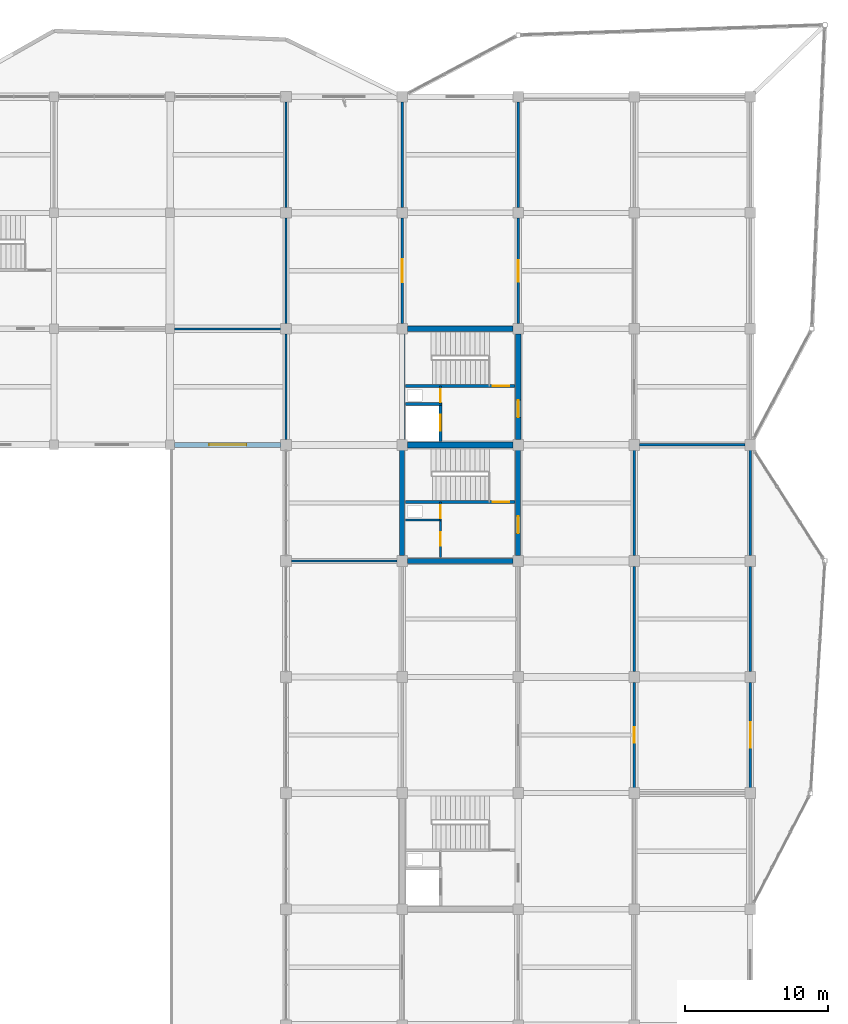
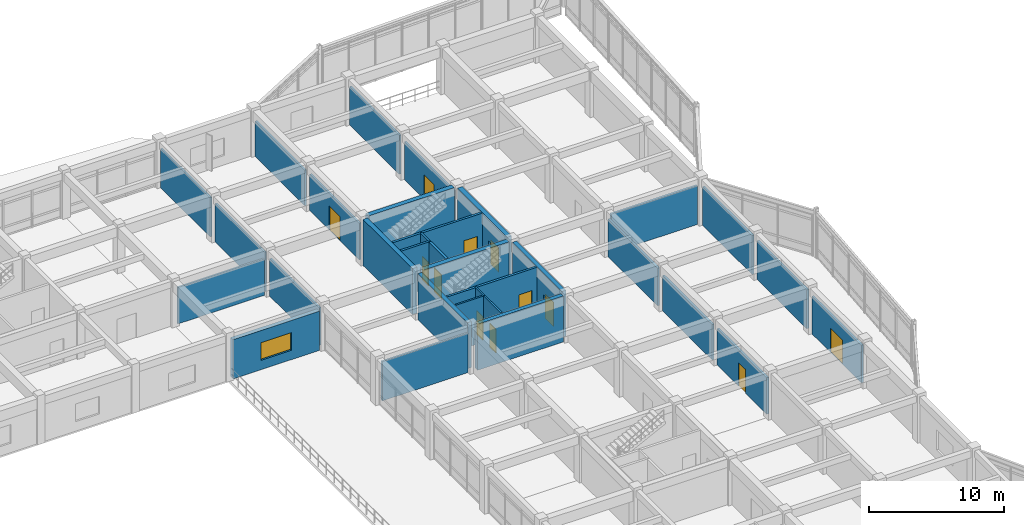
# One storey, part 53 of 70: 32 walls, 12 doors, 1 window, 13 openings.
"""IFC4 building model written with IfcOpenShell, lengths in metres."""

from ifc_helpers import new_model, si_unit, direction, frame, frame_2d, origin, place, context, subcontext, project, spatial, rectangle, extrude, material, layer, layer_set, type_object, element, fill, save


model = new_model("IFC4")

# Units and contexts
model_context = context("Model", 3, precision=1e-05, world=origin(), true_north=direction((0.0, 1.0)))
body_context = subcontext(model_context, "Body", "Model", "MODEL_VIEW")
ifc_project = project(units=[si_unit("LENGTHUNIT", "METRE"), si_unit("AREAUNIT", "SQUARE_METRE"), si_unit("VOLUMEUNIT", "CUBIC_METRE"), si_unit("PLANEANGLEUNIT", "RADIAN"), si_unit("MASSUNIT", "GRAM", prefix="KILO")], contexts=[model_context])

# Site, building, storey
site_placement = place(None, origin())
site = spatial("IfcSite", under=ifc_project, at=site_placement, CompositionType="ELEMENT")
building_placement = place(site_placement, origin())
building = spatial("IfcBuilding", under=site, at=building_placement, Name="Vaudrelin Polytechnic", CompositionType="ELEMENT")
storey_placement = place(building_placement, frame((0.0, 0.0, 14.110107421875)))
storey = spatial("IfcBuildingStorey", under=building, at=storey_placement, Name="L03", CompositionType="ELEMENT", Elevation=14.110107421875)

# Wall, opening, window
ifc_material_1 = material(Name="Precast concrete 35 MPa with standing-seam zinc rainscreen", Category="concrete")
ifc_layer_1 = layer(ifc_material_1, 0.360107421875)
ifc_layer_set_1 = layer_set([ifc_layer_1], Name="Precast concrete 35 MPa with standing-seam zinc rainscreen")
wall_type_1 = type_object("IfcWallType", Name="WAL-EW-ZINC360", PredefinedType="STANDARD", material=ifc_layer_set_1)
wall_1_placement = place(storey_placement, frame((129.923095703125, 97.199951171875, 0.0), z_axis=(0.0, 0.0, 1.0), x_axis=(1.0, 0.0, 0.0)))
wall_1 = element("IfcWall", 1, at=wall_1_placement, inside=storey, type_object=wall_type_1, Name="Exterior wall L03 S_V5_16", PredefinedType="STANDARD", context=body_context, shape_type="SweptSolid", body=[
    extrude(rectangle(XDim=7.40380859375, YDim=0.360107421875, at=frame_2d((3.701904296875, 0.0))), origin(), (0.0, 0.0, 1.0), 3.552001953125),
])
opening_1_placement = place(wall_1_placement, frame((2.402099609375, 0.0, 0.85009765625)))
opening_1 = element("IfcOpeningElement", 2, at=opening_1_placement, cuts=wall_1, Name="Opening W-L03-S-V5-17", PredefinedType="OPENING", context=body_context, shape_type="SweptSolid", body=[
    extrude(rectangle(XDim=2.60009765625, YDim=1.60009765625, at=frame_2d((1.300048828125, 0.800048828125))), frame((0.0, 0.18994140625, 0.0), z_axis=(0.0, -1.0, 0.0), x_axis=(1.0, 0.0, 0.0)), (0.0, 0.0, 1.0), 0.380126953125),
])
ifc_material_2 = material(Name="Thermally broken aluminium frame with triple low-e glazing", Category="aluminium")
window_type = type_object("IfcWindowType", Name="WIN-WN-45", PartitioningType="SINGLE_PANEL", PredefinedType="WINDOW", material=ifc_material_2)
window_placement = place(opening_1_placement, origin())
window = element("IfcWindow", 3, at=window_placement, inside=storey, type_object=window_type, Name="Facade window L03-S_V5_16", OverallHeight=1.60009765625, OverallWidth=2.60009765625, PartitioningType="SINGLE_PANEL", PredefinedType="WINDOW", context=body_context, shape_type="SweptSolid", body=[
    extrude(rectangle(XDim=2.60009765625, YDim=1.60009765625, at=frame_2d((1.300048828125, 0.800048828125))), frame((0.0, 0.030029296875, 0.0), z_axis=(0.0, -1.0, 0.0), x_axis=(1.0, 0.0, 0.0)), (0.0, 0.0, 1.0), 0.06005859375),
])
fill(opening_1, window)

# Wall, opening, door
ifc_material_3 = material(Name="Acoustic double-stud gypsum & mineral-wool partition", Category="gypsum")
ifc_layer_2 = layer(ifc_material_3, 0.179931640625)
ifc_layer_set_2 = layer_set([ifc_layer_2], Name="Acoustic double-stud gypsum & mineral-wool partition")
wall_type_2 = type_object("IfcWallType", Name="WAL-PW-AC180", PredefinedType="PARTITIONING", material=ifc_layer_set_2)
wall_2_placement = place(storey_placement, frame((162.0, 73.27294921875, 0.0), z_axis=(0.0, 0.0, 1.0), x_axis=(0.0, 1.0, 0.0)))
wall_2 = element("IfcWall", 4, at=wall_2_placement, inside=storey, type_object=wall_type_2, Name="Partition L03-017 W", PredefinedType="PARTITIONING", context=body_context, shape_type="SweptSolid", body=[
    extrude(rectangle(XDim=7.35400390625, YDim=0.179931640625, at=frame_2d((3.677001953125, 0.0))), origin(), (0.0, 0.0, 1.0), 3.31201171875),
])
opening_2_placement = place(wall_2_placement, frame((3.136962890625, 0.0, 0.0)))
opening_2 = element("IfcOpeningElement", 5, at=opening_2_placement, cuts=wall_2, Name="Opening D-L03-509", PredefinedType="OPENING", context=body_context, shape_type="SweptSolid", body=[
    extrude(rectangle(XDim=1.080078125, YDim=2.14990234375, at=frame_2d((0.5400390625, 1.074951171875))), frame((0.0, 0.10009765625, 0.0), z_axis=(0.0, -1.0, 0.0), x_axis=(1.0, 0.0, 0.0)), (0.0, 0.0, 1.0), 0.199951171875),
])
ifc_material_4 = material(Name="Solid-core birch veneer acoustic leaf", Category="wood")
door_type_1 = type_object("IfcDoorType", Name="DOR-ID-SEM2", OperationType="NOTDEFINED", PredefinedType="DOOR", material=ifc_material_4)
door_1_placement = place(opening_2_placement, origin())
door_1 = element("IfcDoor", 6, at=door_1_placement, inside=storey, type_object=door_type_1, Name="Seminar Room 302 door L03-017", OperationType="SINGLE_SWING_LEFT", OverallHeight=2.14990234375, OverallWidth=1.080078125, PredefinedType="DOOR", context=body_context, shape_type="SweptSolid", body=[
    extrude(rectangle(XDim=1.080078125, YDim=2.14990234375, at=frame_2d((0.5400390625, 1.074951171875))), frame((0.0, 0.02490234375, 0.0), z_axis=(0.0, -1.0, 0.0), x_axis=(1.0, 0.0, 0.0)), (0.0, 0.0, 1.0), 0.050048828125),
])
fill(opening_2, door_1)

# Walls
wall_3_placement = place(storey_placement, frame((162.0, 81.373046875, 0.0), z_axis=(0.0, 0.0, 1.0), x_axis=(0.0, 1.0, 0.0)))
element("IfcWall", 7, at=wall_3_placement, inside=storey, type_object=wall_type_2, Name="Partition L03-017 W", PredefinedType="PARTITIONING", context=body_context, shape_type="SweptSolid", body=[
    extrude(rectangle(XDim=7.35400390625, YDim=0.179931640625, at=frame_2d((3.677001953125, 0.0))), origin(), (0.0, 0.0, 1.0), 3.2119140625),
])
wall_4_placement = place(storey_placement, frame((162.0, 89.472900390625, 0.0), z_axis=(0.0, 0.0, 1.0), x_axis=(0.0, 1.0, 0.0)))
element("IfcWall", 8, at=wall_4_placement, inside=storey, type_object=wall_type_2, Name="Partition L03-017 W", PredefinedType="PARTITIONING", context=body_context, shape_type="SweptSolid", body=[
    extrude(rectangle(XDim=7.35400390625, YDim=0.179931640625, at=frame_2d((3.677001953125, 0.0))), origin(), (0.0, 0.0, 1.0), 3.411865234375),
])
wall_5_placement = place(storey_placement, frame((162.373046875, 97.199951171875, 0.0), z_axis=(0.0, 0.0, 1.0), x_axis=(1.0, 0.0, 0.0)))
element("IfcWall", 9, at=wall_5_placement, inside=storey, type_object=wall_type_2, Name="Partition L03-017 N", PredefinedType="PARTITIONING", context=body_context, shape_type="SweptSolid", body=[
    extrude(rectangle(XDim=7.35400390625, YDim=0.179931640625, at=frame_2d((3.677001953125, 0.0))), origin(), (0.0, 0.0, 1.0), 3.511962890625),
])

# Wall, opening, door
wall_6_placement = place(storey_placement, frame((170.10009765625, 73.27294921875, 0.0), z_axis=(0.0, 0.0, 1.0), x_axis=(0.0, 1.0, 0.0)))
wall_6 = element("IfcWall", 10, at=wall_6_placement, inside=storey, type_object=wall_type_2, Name="Partition L03-017 E", PredefinedType="PARTITIONING", context=body_context, shape_type="SweptSolid", body=[
    extrude(rectangle(XDim=7.35400390625, YDim=0.179931640625, at=frame_2d((3.677001953125, 0.0))), origin(), (0.0, 0.0, 1.0), 3.411865234375),
])
opening_3_placement = place(wall_6_placement, frame((2.777099609375, 0.0, 0.0)))
opening_3 = element("IfcOpeningElement", 11, at=opening_3_placement, cuts=wall_6, Name="Opening D-L03-604", PredefinedType="OPENING", context=body_context, shape_type="SweptSolid", body=[
    extrude(rectangle(XDim=1.800048828125, YDim=2.199951171875, at=frame_2d((0.89990234375, 1.10009765625))), frame((0.0, 0.10009765625, 0.0), z_axis=(0.0, -1.0, 0.0), x_axis=(1.0, 0.0, 0.0)), (0.0, 0.0, 1.0), 0.199951171875),
])
ifc_material_5 = material(Name="Pressed galvanised steel acoustic leaf", Category="steel")
door_type_2 = type_object("IfcDoorType", Name="DOR-ID-DBL1", OperationType="NOTDEFINED", PredefinedType="DOOR", material=ifc_material_5)
door_2_placement = place(opening_3_placement, origin())
door_2 = element("IfcDoor", 12, at=door_2_placement, inside=storey, type_object=door_type_2, Name="East avionics pod E2 door L03", OperationType="DOUBLE_SWING_LEFT", OverallHeight=2.199951171875, OverallWidth=1.800048828125, PredefinedType="DOOR", context=body_context, shape_type="SweptSolid", body=[
    extrude(rectangle(XDim=1.800048828125, YDim=2.199951171875, at=frame_2d((0.89990234375, 1.10009765625))), frame((0.0, 0.02490234375, 0.0), z_axis=(0.0, -1.0, 0.0), x_axis=(1.0, 0.0, 0.0)), (0.0, 0.0, 1.0), 0.050048828125),
])
fill(opening_3, door_2)

# Walls
for number, where, z_axis, x_axis, name in (
    (13, (170.10009765625, 81.373046875, 0.0), (0.0, 0.0, 1.0), (0.0, 1.0, 0.0), "Partition L03-017 E"),
    (14, (170.10009765625, 89.472900390625, 0.0), (0.0, 0.0, 1.0), (0.0, 1.0, 0.0), "Partition L03-017 E"),
):
    element("IfcWall", number, at=place(storey_placement, frame(where, z_axis=z_axis, x_axis=x_axis)), inside=storey, type_object=wall_type_2, Name=name, PredefinedType="PARTITIONING", context=body_context, shape_type="SweptSolid", body=[
        extrude(rectangle(XDim=7.35400390625, YDim=0.179931640625, at=frame_2d((3.677001953125, 0.0))), origin(), (0.0, 0.0, 1.0), 3.511962890625),
    ])

# Wall, opening, door
ifc_material_6 = material(Name="Fire-rated steel-stud gypsum compartment wall", Category="steel")
ifc_layer_3 = layer(ifc_material_6, 0.14990234375)
ifc_layer_set_3 = layer_set([ifc_layer_3], Name="Fire-rated steel-stud gypsum compartment wall")
wall_type_3 = type_object("IfcWallType", Name="WAL-PW-FIRE60", PredefinedType="PARTITIONING", material=ifc_layer_set_3)
wall_7_placement = place(storey_placement, frame((148.47998046875, 100.050048828125, 0.0), z_axis=(0.0, 0.0, 1.0), x_axis=(0.0, 1.0, 0.0)))
wall_7 = element("IfcWall", 15, at=wall_7_placement, inside=storey, type_object=wall_type_3, Name="Core C6 riser enclosure wall L03", PredefinedType="PARTITIONING", context=body_context, shape_type="SweptSolid", body=[
    extrude(rectangle(XDim=1.260009765625, YDim=0.14990234375, at=frame_2d((0.6298828125, 0.0))), origin(), (0.0, 0.0, 1.0), 4.161865234375),
])
opening_4_placement = place(wall_7_placement, frame((0.139892578125, 0.0, 0.0)))
opening_4 = element("IfcOpeningElement", 16, at=opening_4_placement, cuts=wall_7, Name="Opening D-L03-098", PredefinedType="OPENING", context=body_context, shape_type="SweptSolid", body=[
    extrude(rectangle(XDim=0.89990234375, YDim=2.14990234375, at=frame_2d((0.449951171875, 1.074951171875))), frame((0.0, 0.0849609375, 0.0), z_axis=(0.0, -1.0, 0.0), x_axis=(1.0, 0.0, 0.0)), (0.0, 0.0, 1.0), 0.169921875),
])
door_type_3 = type_object("IfcDoorType", Name="DOR-ID-RSR1", OperationType="NOTDEFINED", PredefinedType="DOOR", material=ifc_material_5)
door_3_placement = place(opening_4_placement, origin())
door_3 = element("IfcDoor", 17, at=door_3_placement, inside=storey, type_object=door_type_3, Name="Core C6 riser access door L03", OperationType="SINGLE_SWING_RIGHT", OverallHeight=2.14990234375, OverallWidth=0.89990234375, PredefinedType="DOOR", context=body_context, shape_type="SweptSolid", body=[
    extrude(rectangle(XDim=0.89990234375, YDim=2.14990234375, at=frame_2d((0.449951171875, 1.074951171875))), frame((0.0, 0.02490234375, 0.0), z_axis=(0.0, -1.0, 0.0), x_axis=(1.0, 0.0, 0.0)), (0.0, 0.0, 1.0), 0.050048828125),
])
fill(opening_4, door_3)

wall_8_placement = place(storey_placement, frame((148.47998046875, 91.949951171875, 0.0), z_axis=(0.0, 0.0, 1.0), x_axis=(0.0, 1.0, 0.0)))
wall_8 = element("IfcWall", 18, at=wall_8_placement, inside=storey, type_object=wall_type_3, Name="Core C13 riser enclosure wall L03", PredefinedType="PARTITIONING", context=body_context, shape_type="SweptSolid", body=[
    extrude(rectangle(XDim=1.260009765625, YDim=0.14990234375, at=frame_2d((0.6298828125, 0.0))), origin(), (0.0, 0.0, 1.0), 4.161865234375),
])
opening_5_placement = place(wall_8_placement, frame((0.139892578125, 0.0, 0.0)))
opening_5 = element("IfcOpeningElement", 19, at=opening_5_placement, cuts=wall_8, Name="Opening D-L03-311", PredefinedType="OPENING", context=body_context, shape_type="SweptSolid", body=[
    extrude(rectangle(XDim=0.89990234375, YDim=2.14990234375, at=frame_2d((0.449951171875, 1.074951171875))), frame((0.0, 0.0849609375, 0.0), z_axis=(0.0, -1.0, 0.0), x_axis=(1.0, 0.0, 0.0)), (0.0, 0.0, 1.0), 0.169921875),
])
door_4_placement = place(opening_5_placement, origin())
door_4 = element("IfcDoor", 20, at=door_4_placement, inside=storey, type_object=door_type_3, Name="Core C13 riser access door L03", OperationType="SINGLE_SWING_RIGHT", OverallHeight=2.14990234375, OverallWidth=0.89990234375, PredefinedType="DOOR", context=body_context, shape_type="SweptSolid", body=[
    extrude(rectangle(XDim=0.89990234375, YDim=2.14990234375, at=frame_2d((0.449951171875, 1.074951171875))), frame((0.0, 0.02490234375, 0.0), z_axis=(0.0, -1.0, 0.0), x_axis=(1.0, 0.0, 0.0)), (0.0, 0.0, 1.0), 0.050048828125),
])
fill(opening_5, door_4)

# Wall
wall_9_placement = place(storey_placement, frame((146.02001953125, 91.949951171875, 0.0), z_axis=(0.0, 0.0, 1.0), x_axis=(1.0, 0.0, 0.0)))
element("IfcWall", 21, at=wall_9_placement, inside=storey, type_object=wall_type_3, Name="Core C13 riser south fire wall L03", PredefinedType="PARTITIONING", context=body_context, shape_type="SweptSolid", body=[
    extrude(rectangle(XDim=2.530029296875, YDim=0.14990234375, at=frame_2d((1.26513671875, 0.0))), origin(), (0.0, 0.0, 1.0), 4.161865234375),
])

# Wall, opening, door
wall_10_placement = place(storey_placement, frame((148.47998046875, 89.35009765625, 0.0), z_axis=(0.0, 0.0, 1.0), x_axis=(0.0, 1.0, 0.0)))
wall_10 = element("IfcWall", 22, at=wall_10_placement, inside=storey, type_object=wall_type_3, Name="Core C13 custodial enclosure wall L03", PredefinedType="PARTITIONING", context=body_context, shape_type="SweptSolid", body=[
    extrude(rectangle(XDim=2.599853515625, YDim=0.14990234375, at=frame_2d((1.2998046875, 0.0))), origin(), (0.0, 0.0, 1.0), 4.161865234375),
])
opening_6_placement = place(wall_10_placement, frame((0.800048828125, 0.0, 0.0)))
opening_6 = element("IfcOpeningElement", 23, at=opening_6_placement, cuts=wall_10, Name="Opening D-L03-312", PredefinedType="OPENING", context=body_context, shape_type="SweptSolid", body=[
    extrude(rectangle(XDim=0.949951171875, YDim=2.14990234375, at=frame_2d((0.47509765625, 1.074951171875))), frame((0.0, 0.0849609375, 0.0), z_axis=(0.0, -1.0, 0.0), x_axis=(1.0, 0.0, 0.0)), (0.0, 0.0, 1.0), 0.169921875),
])
door_type_4 = type_object("IfcDoorType", Name="DOR-ID-STR1", OperationType="NOTDEFINED", PredefinedType="DOOR", material=ifc_material_5)
door_5_placement = place(opening_6_placement, origin())
door_5 = element("IfcDoor", 24, at=door_5_placement, inside=storey, type_object=door_type_4, Name="Core C13 custodial door L03", OperationType="SINGLE_SWING_RIGHT", OverallHeight=2.14990234375, OverallWidth=0.949951171875, PredefinedType="DOOR", context=body_context, shape_type="SweptSolid", body=[
    extrude(rectangle(XDim=0.949951171875, YDim=2.14990234375, at=frame_2d((0.47509765625, 1.074951171875))), frame((0.0, 0.02490234375, 0.0), z_axis=(0.0, -1.0, 0.0), x_axis=(1.0, 0.0, 0.0)), (0.0, 0.0, 1.0), 0.050048828125),
])
fill(opening_6, door_5)

# Wall
ifc_material_7 = material(Name="Moisture- and chemical-resistant laboratory partition", Category="gypsum")
ifc_layer_4 = layer(ifc_material_7, 0.159912109375)
ifc_layer_set_4 = layer_set([ifc_layer_4], Name="Moisture- and chemical-resistant laboratory partition")
wall_type_4 = type_object("IfcWallType", Name="WAL-PW-LAB160", PredefinedType="PARTITIONING", material=ifc_layer_set_4)
wall_11_placement = place(storey_placement, frame((138.072998046875, 89.10009765625, 0.0), z_axis=(0.0, 0.0, 1.0), x_axis=(1.0, 0.0, 0.0)))
element("IfcWall", 25, at=wall_11_placement, inside=storey, type_object=wall_type_4, Name="Partition L03-010 N", PredefinedType="PARTITIONING", context=body_context, shape_type="SweptSolid", body=[
    extrude(rectangle(XDim=7.35400390625, YDim=0.159912109375, at=frame_2d((3.677001953125, 0.0))), origin(), (0.0, 0.0, 1.0), 3.56201171875),
])

# Wall, opening, door
wall_12_placement = place(storey_placement, frame((145.800048828125, 105.673095703125, 0.0), z_axis=(0.0, 0.0, 1.0), x_axis=(0.0, 1.0, 0.0)))
wall_12 = element("IfcWall", 26, at=wall_12_placement, inside=storey, type_object=wall_type_4, Name="Partition L03-012 E", PredefinedType="PARTITIONING", context=body_context, shape_type="SweptSolid", body=[
    extrude(rectangle(XDim=7.35400390625, YDim=0.159912109375, at=frame_2d((3.677001953125, 0.0))), origin(), (0.0, 0.0, 1.0), 3.31201171875),
])
opening_7_placement = place(wall_12_placement, frame((2.886962890625, 0.0, 0.0)))
opening_7 = element("IfcOpeningElement", 27, at=opening_7_placement, cuts=wall_12, Name="Opening D-L03-505", PredefinedType="OPENING", context=body_context, shape_type="SweptSolid", body=[
    extrude(rectangle(XDim=1.580078125, YDim=2.199951171875, at=frame_2d((0.7900390625, 1.10009765625))), frame((0.0, 0.08984375, 0.0), z_axis=(0.0, -1.0, 0.0), x_axis=(1.0, 0.0, 0.0)), (0.0, 0.0, 1.0), 0.179931640625),
])
door_type_5 = type_object("IfcDoorType", Name="DOR-ID-LAB3", OperationType="NOTDEFINED", PredefinedType="DOOR", material=ifc_material_5)
door_6_placement = place(opening_7_placement, origin())
door_6 = element("IfcDoor", 28, at=door_6_placement, inside=storey, type_object=door_type_5, Name="Power Grid Simulation Laboratory door L03-012", OperationType="DOUBLE_SWING_LEFT", OverallHeight=2.199951171875, OverallWidth=1.580078125, PredefinedType="DOOR", context=body_context, shape_type="SweptSolid", body=[
    extrude(rectangle(XDim=1.580078125, YDim=2.199951171875, at=frame_2d((0.7900390625, 1.10009765625))), frame((0.0, 0.02490234375, 0.0), z_axis=(0.0, -1.0, 0.0), x_axis=(1.0, 0.0, 0.0)), (0.0, 0.0, 1.0), 0.050048828125),
])
fill(opening_7, door_6)

# Walls
wall_13_placement = place(storey_placement, frame((145.800048828125, 113.77294921875, 0.0), z_axis=(0.0, 0.0, 1.0), x_axis=(0.0, 1.0, 0.0)))
element("IfcWall", 29, at=wall_13_placement, inside=storey, type_object=wall_type_4, Name="Partition L03-012 E", PredefinedType="PARTITIONING", context=body_context, shape_type="SweptSolid", body=[
    extrude(rectangle(XDim=7.35400390625, YDim=0.159912109375, at=frame_2d((3.677001953125, 0.0))), origin(), (0.0, 0.0, 1.0), 3.2119140625),
])
wall_14_placement = place(storey_placement, frame((137.699951171875, 97.572998046875, 0.0), z_axis=(0.0, 0.0, 1.0), x_axis=(0.0, 1.0, 0.0)))
element("IfcWall", 30, at=wall_14_placement, inside=storey, type_object=wall_type_4, Name="Partition L03-012 W", PredefinedType="PARTITIONING", context=body_context, shape_type="SweptSolid", body=[
    extrude(rectangle(XDim=7.35400390625, YDim=0.159912109375, at=frame_2d((3.677001953125, 0.0))), origin(), (0.0, 0.0, 1.0), 3.40185546875),
])

# Wall, opening, door
wall_15_placement = place(storey_placement, frame((153.89990234375, 105.673095703125, 0.0), z_axis=(0.0, 0.0, 1.0), x_axis=(0.0, 1.0, 0.0)))
wall_15 = element("IfcWall", 31, at=wall_15_placement, inside=storey, type_object=wall_type_4, Name="Partition L03-013 E", PredefinedType="PARTITIONING", context=body_context, shape_type="SweptSolid", body=[
    extrude(rectangle(XDim=7.35400390625, YDim=0.159912109375, at=frame_2d((3.677001953125, 0.0))), origin(), (0.0, 0.0, 1.0), 3.411865234375),
])
opening_8_placement = place(wall_15_placement, frame((2.927001953125, 0.0, 0.0)))
opening_8 = element("IfcOpeningElement", 32, at=opening_8_placement, cuts=wall_15, Name="Opening D-L03-506", PredefinedType="OPENING", context=body_context, shape_type="SweptSolid", body=[
    extrude(rectangle(XDim=1.5, YDim=2.199951171875, at=frame_2d((0.75, 1.10009765625))), frame((0.0, 0.08984375, 0.0), z_axis=(0.0, -1.0, 0.0), x_axis=(1.0, 0.0, 0.0)), (0.0, 0.0, 1.0), 0.179931640625),
])
door_type_6 = type_object("IfcDoorType", Name="DOR-ID-LAB1", OperationType="NOTDEFINED", PredefinedType="DOOR", material=ifc_material_5)
door_7_placement = place(opening_8_placement, origin())
door_7 = element("IfcDoor", 33, at=door_7_placement, inside=storey, type_object=door_type_6, Name="Relay Protection Testing Laboratory door L03-013", OperationType="DOUBLE_SWING_LEFT", OverallHeight=2.199951171875, OverallWidth=1.5, PredefinedType="DOOR", context=body_context, shape_type="SweptSolid", body=[
    extrude(rectangle(XDim=1.5, YDim=2.199951171875, at=frame_2d((0.75, 1.10009765625))), frame((0.0, 0.02490234375, 0.0), z_axis=(0.0, -1.0, 0.0), x_axis=(1.0, 0.0, 0.0)), (0.0, 0.0, 1.0), 0.050048828125),
])
fill(opening_8, door_7)

# Walls
wall_16_placement = place(storey_placement, frame((153.89990234375, 113.77294921875, 0.0), z_axis=(0.0, 0.0, 1.0), x_axis=(0.0, 1.0, 0.0)))
element("IfcWall", 34, at=wall_16_placement, inside=storey, type_object=wall_type_4, Name="Partition L03-013 E", PredefinedType="PARTITIONING", context=body_context, shape_type="SweptSolid", body=[
    extrude(rectangle(XDim=7.35400390625, YDim=0.159912109375, at=frame_2d((3.677001953125, 0.0))), origin(), (0.0, 0.0, 1.0), 3.511962890625),
])
ifc_material_8 = material(Name="Pin-up plywood & acoustic gypsum studio partition", Category="wood")
ifc_layer_5 = layer(ifc_material_8, 0.14990234375)
ifc_layer_set_5 = layer_set([ifc_layer_5], Name="Pin-up plywood & acoustic gypsum studio partition")
wall_type_5 = type_object("IfcWallType", Name="WAL-PW-STU150", PredefinedType="PARTITIONING", material=ifc_layer_set_5)
wall_17_placement = place(storey_placement, frame((129.923095703125, 105.300048828125, 0.0), z_axis=(0.0, 0.0, 1.0), x_axis=(1.0, 0.0, 0.0)))
element("IfcWall", 35, at=wall_17_placement, inside=storey, type_object=wall_type_5, Name="Partition L03-006 S", PredefinedType="PARTITIONING", context=body_context, shape_type="SweptSolid", body=[
    extrude(rectangle(XDim=7.40380859375, YDim=0.14990234375, at=frame_2d((3.701904296875, 0.0))), origin(), (0.0, 0.0, 1.0), 3.302001953125),
])
wall_18_placement = place(storey_placement, frame((137.699951171875, 105.673095703125, 0.0), z_axis=(0.0, 0.0, 1.0), x_axis=(0.0, 1.0, 0.0)))
element("IfcWall", 36, at=wall_18_placement, inside=storey, type_object=wall_type_5, Name="Partition L03-006 E", PredefinedType="PARTITIONING", context=body_context, shape_type="SweptSolid", body=[
    extrude(rectangle(XDim=7.35400390625, YDim=0.14990234375, at=frame_2d((3.677001953125, 0.0))), origin(), (0.0, 0.0, 1.0), 3.501953125),
])
wall_19_placement = place(storey_placement, frame((137.699951171875, 113.77294921875, 0.0), z_axis=(0.0, 0.0, 1.0), x_axis=(0.0, 1.0, 0.0)))
element("IfcWall", 37, at=wall_19_placement, inside=storey, type_object=wall_type_5, Name="Partition L03-006 E", PredefinedType="PARTITIONING", context=body_context, shape_type="SweptSolid", body=[
    extrude(rectangle(XDim=7.35400390625, YDim=0.14990234375, at=frame_2d((3.677001953125, 0.0))), origin(), (0.0, 0.0, 1.0), 3.552001953125),
])

# Wall, opening, door
ifc_material_9 = material(Name="Concrete 40 MPa", Category="concrete")
ifc_layer_6 = layer(ifc_material_9, 0.199951171875)
ifc_layer_set_6 = layer_set([ifc_layer_6], Name="Concrete 40 MPa")
wall_type_6 = type_object("IfcWallType", Name="WAL-SW-CORE200", PredefinedType="SHEAR", material=ifc_layer_set_6)
wall_20_placement = place(storey_placement, frame((146.02001953125, 101.31005859375, 0.0), z_axis=(0.0, 0.0, 1.0), x_axis=(1.0, 0.0, 0.0)))
wall_20 = element("IfcWall", 38, at=wall_20_placement, inside=storey, type_object=wall_type_6, Name="Core C6 stair enclosure wall L03", PredefinedType="SHEAR", context=body_context, shape_type="SweptSolid", body=[
    extrude(rectangle(XDim=7.659912109375, YDim=0.199951171875, at=frame_2d((3.830078125, 0.0))), origin(), (0.0, 0.0, 1.0), 4.161865234375),
])
opening_9_placement = place(wall_20_placement, frame((6.110107421875, 0.0, 0.0)))
opening_9 = element("IfcOpeningElement", 39, at=opening_9_placement, cuts=wall_20, Name="Opening D-L03-097", PredefinedType="OPENING", context=body_context, shape_type="SweptSolid", body=[
    extrude(rectangle(XDim=1.14990234375, YDim=2.199951171875, at=frame_2d((0.574951171875, 1.10009765625))), frame((0.0, 0.10986328125, 0.0), z_axis=(0.0, -1.0, 0.0), x_axis=(1.0, 0.0, 0.0)), (0.0, 0.0, 1.0), 0.219970703125),
])
door_type_7 = type_object("IfcDoorType", Name="DOR-ID-ST1", OperationType="NOTDEFINED", PredefinedType="DOOR", material=ifc_material_5)
door_8_placement = place(opening_9_placement, origin())
door_8 = element("IfcDoor", 40, at=door_8_placement, inside=storey, type_object=door_type_7, Name="Core C6 exit stair door L03", OperationType="SINGLE_SWING_LEFT", OverallHeight=2.199951171875, OverallWidth=1.14990234375, PredefinedType="DOOR", context=body_context, shape_type="SweptSolid", body=[
    extrude(rectangle(XDim=1.14990234375, YDim=2.199951171875, at=frame_2d((0.574951171875, 1.10009765625))), frame((0.0, 0.02490234375, 0.0), z_axis=(0.0, -1.0, 0.0), x_axis=(1.0, 0.0, 0.0)), (0.0, 0.0, 1.0), 0.050048828125),
])
fill(opening_9, door_8)

wall_21_placement = place(storey_placement, frame((148.47998046875, 97.449951171875, 0.0), z_axis=(0.0, 0.0, 1.0), x_axis=(0.0, 1.0, 0.0)))
wall_21 = element("IfcWall", 41, at=wall_21_placement, inside=storey, type_object=wall_type_6, Name="Lift LF-06 shaft front wall L03", PredefinedType="SHEAR", context=body_context, shape_type="SweptSolid", body=[
    extrude(rectangle(XDim=2.60009765625, YDim=0.199951171875, at=frame_2d((1.300048828125, 0.0))), origin(), (0.0, 0.0, 1.0), 4.161865234375),
])
opening_10_placement = place(wall_21_placement, frame((0.75, 0.0, 0.0)))
opening_10 = element("IfcOpeningElement", 42, at=opening_10_placement, cuts=wall_21, Name="Opening LD-LF-06-L03", PredefinedType="OPENING", context=body_context, shape_type="SweptSolid", body=[
    extrude(rectangle(XDim=1.10009765625, YDim=2.199951171875, at=frame_2d((0.550048828125, 1.10009765625))), frame((0.0, 0.10986328125, 0.0), z_axis=(0.0, -1.0, 0.0), x_axis=(1.0, 0.0, 0.0)), (0.0, 0.0, 1.0), 0.219970703125),
])
ifc_material_10 = material(Name="Brushed stainless steel AISI 304", Category="steel")
door_type_8 = type_object("IfcDoorType", Name="DOR-LD-PAX", OperationType="SLIDING_TO_LEFT", PredefinedType="DOOR", material=ifc_material_10)
door_9_placement = place(opening_10_placement, origin())
door_9 = element("IfcDoor", 43, at=door_9_placement, inside=storey, type_object=door_type_8, Name="Lift LF-06 landing door L03", OperationType="SLIDING_TO_LEFT", OverallHeight=2.199951171875, OverallWidth=1.10009765625, PredefinedType="DOOR", context=body_context, shape_type="SweptSolid", body=[
    extrude(rectangle(XDim=1.10009765625, YDim=2.199951171875, at=frame_2d((0.550048828125, 1.10009765625))), frame((0.0, 0.02490234375, 0.0), z_axis=(0.0, -1.0, 0.0), x_axis=(1.0, 0.0, 0.0)), (0.0, 0.0, 1.0), 0.050048828125),
])
fill(opening_10, door_9)

# Wall
wall_22_placement = place(storey_placement, frame((146.02001953125, 100.050048828125, 0.0), z_axis=(0.0, 0.0, 1.0), x_axis=(1.0, 0.0, 0.0)))
element("IfcWall", 44, at=wall_22_placement, inside=storey, type_object=wall_type_6, Name="Lift LF-06 shaft north wall L03", PredefinedType="SHEAR", context=body_context, shape_type="SweptSolid", body=[
    extrude(rectangle(XDim=2.56005859375, YDim=0.199951171875, at=frame_2d((1.280029296875, 0.0))), origin(), (0.0, 0.0, 1.0), 4.161865234375),
])

# Wall, opening, door
wall_23_placement = place(storey_placement, frame((146.02001953125, 93.2099609375, 0.0), z_axis=(0.0, 0.0, 1.0), x_axis=(1.0, 0.0, 0.0)))
wall_23 = element("IfcWall", 45, at=wall_23_placement, inside=storey, type_object=wall_type_6, Name="Core C13 stair enclosure wall L03", PredefinedType="SHEAR", context=body_context, shape_type="SweptSolid", body=[
    extrude(rectangle(XDim=7.659912109375, YDim=0.199951171875, at=frame_2d((3.830078125, 0.0))), origin(), (0.0, 0.0, 1.0), 4.161865234375),
])
opening_11_placement = place(wall_23_placement, frame((6.110107421875, 0.0, 0.0)))
opening_11 = element("IfcOpeningElement", 46, at=opening_11_placement, cuts=wall_23, Name="Opening D-L03-310", PredefinedType="OPENING", context=body_context, shape_type="SweptSolid", body=[
    extrude(rectangle(XDim=1.14990234375, YDim=2.199951171875, at=frame_2d((0.574951171875, 1.10009765625))), frame((0.0, 0.10986328125, 0.0), z_axis=(0.0, -1.0, 0.0), x_axis=(1.0, 0.0, 0.0)), (0.0, 0.0, 1.0), 0.219970703125),
])
door_10_placement = place(opening_11_placement, origin())
door_10 = element("IfcDoor", 47, at=door_10_placement, inside=storey, type_object=door_type_7, Name="Core C13 exit stair door L03", OperationType="SINGLE_SWING_LEFT", OverallHeight=2.199951171875, OverallWidth=1.14990234375, PredefinedType="DOOR", context=body_context, shape_type="SweptSolid", body=[
    extrude(rectangle(XDim=1.14990234375, YDim=2.199951171875, at=frame_2d((0.574951171875, 1.10009765625))), frame((0.0, 0.02490234375, 0.0), z_axis=(0.0, -1.0, 0.0), x_axis=(1.0, 0.0, 0.0)), (0.0, 0.0, 1.0), 0.050048828125),
])
fill(opening_11, door_10)

# Wall
ifc_material_11 = material(Name="Concrete 50 MPa", Category="concrete")
ifc_layer_7 = layer(ifc_material_11, 0.35009765625)
ifc_layer_set_7 = layer_set([ifc_layer_7], Name="Concrete 50 MPa")
wall_type_7 = type_object("IfcWallType", Name="WAL-SW-CORE350", PredefinedType="SHEAR", material=ifc_layer_set_7)
wall_24_placement = place(storey_placement, frame((145.800048828125, 89.472900390625, 0.0), z_axis=(0.0, 0.0, 1.0), x_axis=(0.0, 1.0, 0.0)))
element("IfcWall", 48, at=wall_24_placement, inside=storey, type_object=wall_type_7, Name="Core C13 W shear wall L03", PredefinedType="SHEAR", context=body_context, shape_type="SweptSolid", body=[
    extrude(rectangle(XDim=7.35400390625, YDim=0.35009765625, at=frame_2d((3.677001953125, 0.0))), origin(), (0.0, 0.0, 1.0), 4.161865234375),
])

# Wall, opening, door
wall_25_placement = place(storey_placement, frame((153.89990234375, 89.472900390625, 0.0), z_axis=(0.0, 0.0, 1.0), x_axis=(0.0, 1.0, 0.0)))
wall_25 = element("IfcWall", 49, at=wall_25_placement, inside=storey, type_object=wall_type_7, Name="Core C13 E shear wall L03", PredefinedType="SHEAR", context=body_context, shape_type="SweptSolid", body=[
    extrude(rectangle(XDim=7.35400390625, YDim=0.35009765625, at=frame_2d((3.677001953125, 0.0))), origin(), (0.0, 0.0, 1.0), 4.161865234375),
])
opening_12_placement = place(wall_25_placement, frame((1.550048828125, 0.0, 0.0)))
opening_12 = element("IfcOpeningElement", 50, at=opening_12_placement, cuts=wall_25, Name="Opening D-L03-309", PredefinedType="OPENING", context=body_context, shape_type="SweptSolid", body=[
    extrude(rectangle(XDim=1.199951171875, YDim=2.199951171875, at=frame_2d((0.60009765625, 1.10009765625))), frame((0.0, 0.18505859375, 0.0), z_axis=(0.0, -1.0, 0.0), x_axis=(1.0, 0.0, 0.0)), (0.0, 0.0, 1.0), 0.3701171875),
])
door_type_9 = type_object("IfcDoorType", Name="DOR-ID-LB1", OperationType="NOTDEFINED", PredefinedType="DOOR", material=ifc_material_5)
door_11_placement = place(opening_12_placement, origin())
door_11 = element("IfcDoor", 51, at=door_11_placement, inside=storey, type_object=door_type_9, Name="Core C13 lobby fire door L03", OperationType="SINGLE_SWING_LEFT", OverallHeight=2.199951171875, OverallWidth=1.199951171875, PredefinedType="DOOR", context=body_context, shape_type="SweptSolid", body=[
    extrude(rectangle(XDim=1.199951171875, YDim=2.199951171875, at=frame_2d((0.60009765625, 1.10009765625))), frame((0.0, 0.02490234375, 0.0), z_axis=(0.0, -1.0, 0.0), x_axis=(1.0, 0.0, 0.0)), (0.0, 0.0, 1.0), 0.050048828125),
])
fill(opening_12, door_11)

# Walls
wall_26_placement = place(storey_placement, frame((146.173095703125, 89.10009765625, 0.0), z_axis=(0.0, 0.0, 1.0), x_axis=(1.0, 0.0, 0.0)))
element("IfcWall", 52, at=wall_26_placement, inside=storey, type_object=wall_type_7, Name="Core C13 S shear wall L03", PredefinedType="SHEAR", context=body_context, shape_type="SweptSolid", body=[
    extrude(rectangle(XDim=7.35400390625, YDim=0.35009765625, at=frame_2d((3.677001953125, 0.0))), origin(), (0.0, 0.0, 1.0), 4.161865234375),
])
ifc_layer_8 = layer(ifc_material_11, 0.39990234375)
ifc_layer_set_8 = layer_set([ifc_layer_8], Name="Concrete 50 MPa")
wall_type_8 = type_object("IfcWallType", Name="WAL-SW-CORE400", PredefinedType="SHEAR", material=ifc_layer_set_8)
for number, where, z_axis, x_axis, name in (
    (53, (146.173095703125, 105.300048828125, 0.0), (0.0, 0.0, 1.0), (1.0, 0.0, 0.0), "Core C6 N shear wall L03"),
    (54, (145.800048828125, 97.572998046875, 0.0), (0.0, 0.0, 1.0), (0.0, 1.0, 0.0), "Core C6 W shear wall L03"),
):
    element("IfcWall", number, at=place(storey_placement, frame(where, z_axis=z_axis, x_axis=x_axis)), inside=storey, type_object=wall_type_8, Name=name, PredefinedType="SHEAR", context=body_context, shape_type="SweptSolid", body=[
        extrude(rectangle(XDim=7.35400390625, YDim=0.39990234375, at=frame_2d((3.677001953125, 0.0))), origin(), (0.0, 0.0, 1.0), 4.161865234375),
    ])

# Wall, opening, door
wall_27_placement = place(storey_placement, frame((153.89990234375, 97.572998046875, 0.0), z_axis=(0.0, 0.0, 1.0), x_axis=(0.0, 1.0, 0.0)))
wall_27 = element("IfcWall", 55, at=wall_27_placement, inside=storey, type_object=wall_type_8, Name="Core C6 E shear wall L03", PredefinedType="SHEAR", context=body_context, shape_type="SweptSolid", body=[
    extrude(rectangle(XDim=7.35400390625, YDim=0.39990234375, at=frame_2d((3.677001953125, 0.0))), origin(), (0.0, 0.0, 1.0), 4.161865234375),
])
opening_13_placement = place(wall_27_placement, frame((1.550048828125, 0.0, 0.0)))
opening_13 = element("IfcOpeningElement", 56, at=opening_13_placement, cuts=wall_27, Name="Opening D-L03-096", PredefinedType="OPENING", context=body_context, shape_type="SweptSolid", body=[
    extrude(rectangle(XDim=1.199951171875, YDim=2.199951171875, at=frame_2d((0.60009765625, 1.10009765625))), frame((0.0, 0.2099609375, 0.0), z_axis=(0.0, -1.0, 0.0), x_axis=(1.0, 0.0, 0.0)), (0.0, 0.0, 1.0), 0.419921875),
])
door_12_placement = place(opening_13_placement, origin())
door_12 = element("IfcDoor", 57, at=door_12_placement, inside=storey, type_object=door_type_9, Name="Core C6 lobby fire door L03", OperationType="SINGLE_SWING_RIGHT", OverallHeight=2.199951171875, OverallWidth=1.199951171875, PredefinedType="DOOR", context=body_context, shape_type="SweptSolid", body=[
    extrude(rectangle(XDim=1.199951171875, YDim=2.199951171875, at=frame_2d((0.60009765625, 1.10009765625))), frame((0.0, 0.02490234375, 0.0), z_axis=(0.0, -1.0, 0.0), x_axis=(1.0, 0.0, 0.0)), (0.0, 0.0, 1.0), 0.050048828125),
])
fill(opening_13, door_12)

# Wall
wall_28_placement = place(storey_placement, frame((146.173095703125, 97.199951171875, 0.0), z_axis=(0.0, 0.0, 1.0), x_axis=(1.0, 0.0, 0.0)))
element("IfcWall", 58, at=wall_28_placement, inside=storey, type_object=wall_type_8, Name="Core C6 S shear wall L03", PredefinedType="SHEAR", context=body_context, shape_type="SweptSolid", body=[
    extrude(rectangle(XDim=7.35400390625, YDim=0.39990234375, at=frame_2d((3.677001953125, 0.0))), origin(), (0.0, 0.0, 1.0), 4.161865234375),
])

save(model, "model.ifc")
